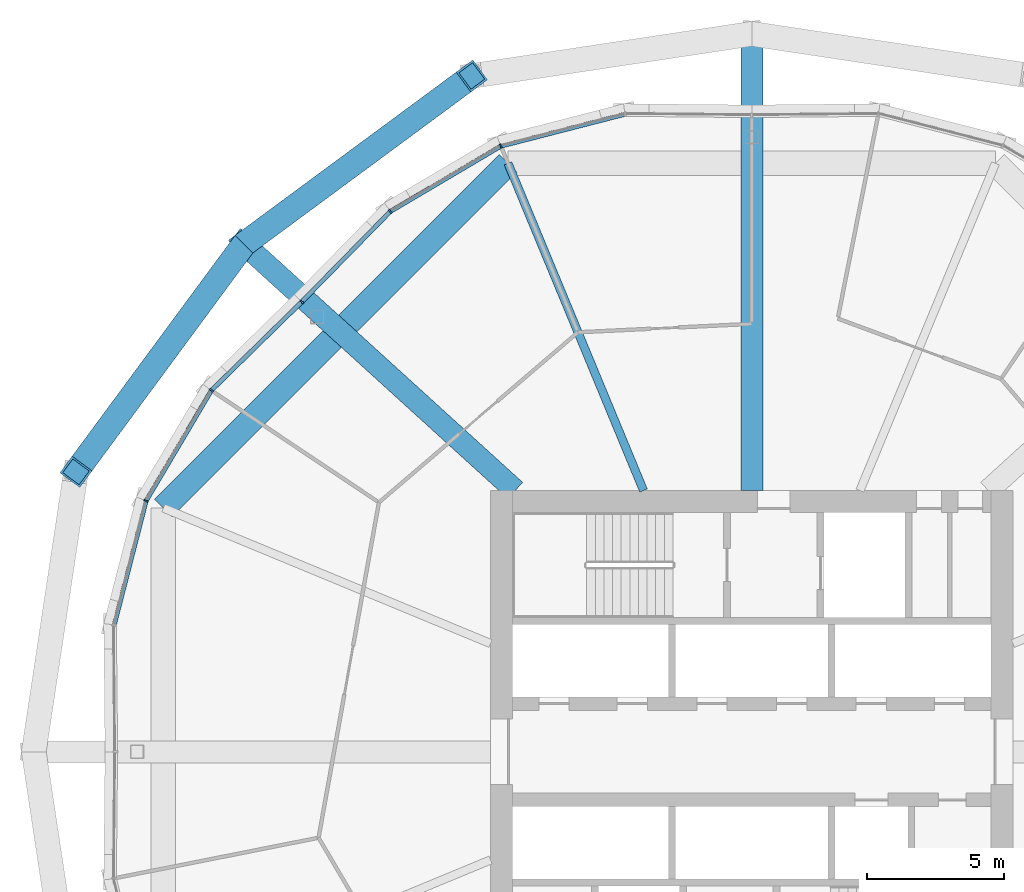
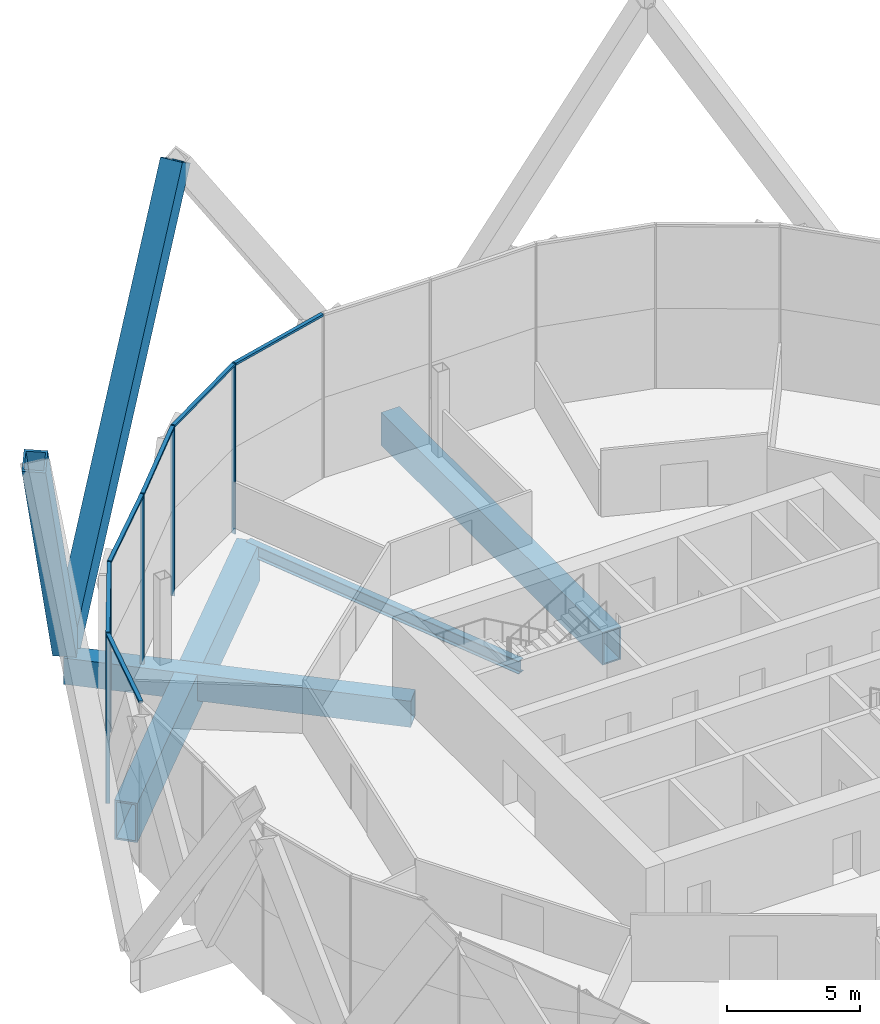
# One storey, part 8 of 28: 13 members, 4 beams, 2 elements without a shape of their own.
"""IFC4 building model written with IfcOpenShell, lengths in metres."""

from ifc_helpers import new_model, si_unit, direction, frame, origin, origin_2d, place, context, subcontext, project, spatial, rectangle, hollow_rectangle, i_section, extrude, material, material_profile, profile_set, type_object, element, aggregate, save


model = new_model("IFC4")

# Units and contexts
model_context = context("Model", 3, precision=1e-05, world=origin(), true_north=direction((0.0, 1.0)))
body_context = subcontext(model_context, "Body", "Model", "MODEL_VIEW")
ifc_project = project(units=[si_unit("LENGTHUNIT", "METRE"), si_unit("AREAUNIT", "SQUARE_METRE"), si_unit("VOLUMEUNIT", "CUBIC_METRE"), si_unit("PLANEANGLEUNIT", "RADIAN"), si_unit("MASSUNIT", "GRAM", prefix="KILO")], contexts=[model_context])

# Site, building, storey
site_placement = place(None, origin())
site = spatial("IfcSite", under=ifc_project, at=site_placement, CompositionType="ELEMENT")
building_placement = place(site_placement, origin())
building = spatial("IfcBuilding", under=site, at=building_placement, Name="Ogive Gate Towers", CompositionType="ELEMENT")
storey_placement = place(building_placement, frame((0.0, 0.0, 115.199951171875)))
storey = spatial("IfcBuildingStorey", under=building, at=storey_placement, Name="L27", CompositionType="ELEMENT", Elevation=115.199951171875)

# Members
ifc_material_1 = material(Name="Steel SM460", Category="steel")
ifc_material_profile_1 = material_profile(ifc_material_1, hollow_rectangle(XDim=0.89990234375, YDim=0.89990234375, WallThickness=0.080078125, at=origin_2d()), Name="BX 900x900x80")
ifc_profile_set_1 = profile_set([ifc_material_profile_1], Name="Steel SM460")
member_type_1 = type_object("IfcMemberType", Name="Diagrid diagonal BX 900x900x80", PredefinedType="BRACE", material=ifc_profile_set_1)
for number, where, z_axis, x_axis, name in (
    (1, (-54.462646484375, 18.462646484375, 0.0), (0.443175302272, 0.327039025082, 0.83465030254), (-0.593774070845, 0.804631811944, 0.0), "T1/L27/SDG007"),
    (2, (-54.462646484375, 18.462646484375, 0.0), (-0.327039025082, -0.443175302272, 0.83465030254), (0.804631811944, -0.593774070845, 0.0), "T1/L27/SDG008"),
):
    element("IfcMember", number, at=place(storey_placement, frame(where, z_axis=z_axis, x_axis=x_axis)), inside=storey, type_object=member_type_1, Name=name, PredefinedType="BRACE", context=body_context, shape_type="SweptSolid", body=[
        extrude(hollow_rectangle(XDim=0.89990234375, YDim=0.89990234375, WallThickness=0.080078125, at=origin_2d()), origin(), (0.0, 0.0, 1.0), 18.690673828125),
    ])

# Beams
ifc_material_profile_2 = material_profile(ifc_material_1, hollow_rectangle(XDim=0.89990234375, YDim=1.800048828125, WallThickness=0.080078125, at=origin_2d()), Name="BX 1800x900x80")
ifc_profile_set_2 = profile_set([ifc_material_profile_2], Name="Steel SM460")
beam_type_1 = type_object("IfcBeamType", Name="Edge girder BX 1800x900x80", PredefinedType="BEAM", material=ifc_profile_set_2)
beam_1_placement = place(storey_placement, frame((-44.863037109375, 21.39697265625, -1.199951171875), z_axis=(-0.707106781187, -0.707106781187, 0.0), x_axis=(0.707106781187, -0.707106781187, 0.0)))
element("IfcBeam", 3, at=beam_1_placement, inside=storey, type_object=beam_type_1, Name="T1/L27/SBM023", PredefinedType="BEAM", context=body_context, shape_type="SweptSolid", body=[
    extrude(hollow_rectangle(XDim=0.89990234375, YDim=1.800048828125, WallThickness=0.080078125, at=origin_2d()), origin(), (0.0, 0.0, 1.0), 17.7255859375),
])
ifc_material_2 = material(Name="Steel SM355", Category="steel")
ifc_material_profile_3 = material_profile(ifc_material_2, i_section(OverallWidth=0.300048828125, OverallDepth=0.590087890625, WebThickness=0.012939453125, FlangeThickness=0.02490234375, FilletRadius=0.027099609375, at=origin_2d()), Name="HE 600 A")
ifc_profile_set_3 = profile_set([ifc_material_profile_3], Name="Steel SM355")
beam_type_2 = type_object("IfcBeamType", Name="Radial floor beam HE 600 A", PredefinedType="BEAM", material=ifc_profile_set_3)
beam_2_placement = place(storey_placement, frame((-39.93505859375, 9.5, -0.594970703125), z_axis=(-0.382689470177, 0.923877031545, 0.0), x_axis=(-0.923877031545, -0.382689470177, 0.0)))
element("IfcBeam", 4, at=beam_2_placement, inside=storey, type_object=beam_type_2, Name="T1/L27/SBM013", PredefinedType="BEAM", context=body_context, shape_type="SweptSolid", body=[
    extrude(i_section(OverallWidth=0.300048828125, OverallDepth=0.590087890625, WebThickness=0.012939453125, FlangeThickness=0.02490234375, FilletRadius=0.027099609375, at=origin_2d()), origin(), (0.0, 0.0, 1.0), 12.877197265625),
])

# Curtain wall, members
ifc_material_3 = material(Name="Pale metal aluminium", Category="aluminium")
curtain_wall_type = type_object("IfcCurtainWallType", Name="Tower unitised wall, low zone", PredefinedType="NOTDEFINED", material=ifc_material_3)
curtain_wall_1_placement = place(storey_placement, origin())
curtain_wall_1 = element("IfcCurtainWall", 5, at=curtain_wall_1_placement, inside=storey, type_object=curtain_wall_type, Name="CW1 T1 ECW03", PredefinedType="NOTDEFINED")
ifc_material_profile_4 = material_profile(ifc_material_3, rectangle(XDim=0.159912109375, YDim=0.06005859375, at=origin_2d()), Name="60 x 160 aluminium box")
ifc_profile_set_4 = profile_set([ifc_material_profile_4], Name="Pale metal aluminium")
member_type_2 = type_object("IfcMemberType", Name="Tower unitised wall, low zone mullion 60 x 160", PredefinedType="MULLION", material=ifc_profile_set_4)
member_1_placement = place(storey_placement, frame((-45.12353515625, 22.026123046875, -0.300048828125), z_axis=(0.0, 0.0, 1.0), x_axis=(-0.382683432365, 0.923879532511, 0.0)))
member_1 = element("IfcMember", 6, at=member_1_placement, type_object=member_type_2, Name="CW1 mullion", PredefinedType="MULLION", context=body_context, shape_type="SweptSolid", body=[
    extrude(rectangle(XDim=0.159912109375, YDim=0.06005859375, at=origin_2d()), origin(), (0.0, 0.0, 1.0), 7.800048828125),
])
member_2_placement = place(storey_placement, frame((-49.13916015625, 19.653076171875, -0.300048828125), z_axis=(0.0, 0.0, 1.0), x_axis=(-0.616843572223, 0.787085768775, 0.0)))
member_2 = element("IfcMember", 7, at=member_2_placement, type_object=member_type_2, Name="CW1 mullion", PredefinedType="MULLION", context=body_context, shape_type="SweptSolid", body=[
    extrude(rectangle(XDim=0.159912109375, YDim=0.06005859375, at=origin_2d()), origin(), (0.0, 0.0, 1.0), 7.800048828125),
])
member_3_placement = place(storey_placement, frame((-52.3623046875, 16.362548828125, -0.300048828125), z_axis=(0.0, 0.0, 1.0), x_axis=(-0.714350554462, 0.699788028863, 0.0)))
member_3 = element("IfcMember", 8, at=member_3_placement, type_object=member_type_2, Name="CW1 mullion", PredefinedType="MULLION", context=body_context, shape_type="SweptSolid", body=[
    extrude(rectangle(XDim=0.159912109375, YDim=0.06005859375, at=origin_2d()), origin(), (0.0, 0.0, 1.0), 7.800048828125),
])

curtain_wall_2_placement = place(storey_placement, origin())
curtain_wall_2 = element("IfcCurtainWall", 9, at=curtain_wall_2_placement, inside=storey, type_object=curtain_wall_type, Name="CW1 T1 ECW04", PredefinedType="NOTDEFINED")
member_4_placement = place(storey_placement, frame((-55.653076171875, 13.13916015625, -0.300048828125), z_axis=(0.0, 0.0, 1.0), x_axis=(-0.787085768775, 0.616843572223, 0.0)))
member_4 = element("IfcMember", 10, at=member_4_placement, type_object=member_type_2, Name="CW1 mullion", PredefinedType="MULLION", context=body_context, shape_type="SweptSolid", body=[
    extrude(rectangle(XDim=0.159912109375, YDim=0.06005859375, at=origin_2d()), origin(), (0.0, 0.0, 1.0), 7.800048828125),
])
member_5_placement = place(storey_placement, frame((-58.026123046875, 9.12353515625, -0.300048828125), z_axis=(0.0, 0.0, 1.0), x_axis=(-0.923879532511, 0.382683432365, 0.0)))
member_5 = element("IfcMember", 11, at=member_5_placement, type_object=member_type_2, Name="CW1 mullion", PredefinedType="MULLION", context=body_context, shape_type="SweptSolid", body=[
    extrude(rectangle(XDim=0.159912109375, YDim=0.06005859375, at=origin_2d()), origin(), (0.0, 0.0, 1.0), 7.800048828125),
])

# Member
ifc_material_profile_5 = material_profile(ifc_material_3, rectangle(XDim=0.159912109375, YDim=0.10009765625, at=origin_2d()), Name="100 x 160 aluminium box")
ifc_profile_set_5 = profile_set([ifc_material_profile_5], Name="Pale metal aluminium")
member_type_3 = type_object("IfcMemberType", Name="Tower unitised wall, low zone transom 100 x 160", PredefinedType="USERDEFINED", material=ifc_profile_set_5)
member_6_placement = place(storey_placement, frame((-40.632568359375, 23.1806640625, 7.449951171875), z_axis=(-0.968497677012, -0.249022588577, 0.0), x_axis=(0.249022588577, -0.968497677012, 0.0)))
member_6 = element("IfcMember", 12, at=member_6_placement, type_object=member_type_3, Name="CW1 transom", ObjectType="TRANSOM", PredefinedType="USERDEFINED", context=body_context, shape_type="SweptSolid", body=[
    extrude(rectangle(XDim=0.159912109375, YDim=0.10009765625, at=origin_2d()), origin(), (0.0, 0.0, 1.0), 4.60986328125),
])

member_7_placement = place(storey_placement, frame((-45.14697265625, 22.01220703125, 7.449951171875), z_axis=(-0.860885405398, -0.508798898164, 0.0), x_axis=(0.508798898164, -0.860885405398, 0.0)))
member_7 = element("IfcMember", 13, at=member_7_placement, type_object=member_type_3, Name="CW1 transom", ObjectType="TRANSOM", PredefinedType="USERDEFINED", context=body_context, shape_type="SweptSolid", body=[
    extrude(rectangle(XDim=0.159912109375, YDim=0.10009765625, at=origin_2d()), origin(), (0.0, 0.0, 1.0), 4.60986328125),
])

member_8_placement = place(storey_placement, frame((-49.158203125, 19.63330078125, 7.449951171875), z_axis=(-0.699796604064, -0.714342153972, 0.0), x_axis=(0.714342153972, -0.699796604064, 0.0)))
member_8 = element("IfcMember", 14, at=member_8_placement, type_object=member_type_3, Name="CW1 transom", ObjectType="TRANSOM", PredefinedType="USERDEFINED", context=body_context, shape_type="SweptSolid", body=[
    extrude(rectangle(XDim=0.159912109375, YDim=0.10009765625, at=origin_2d()), origin(), (0.0, 0.0, 1.0), 4.548583984375),
])

aggregate(curtain_wall_1, [member_1, member_6, member_2, member_7, member_3, member_8])

member_9_placement = place(storey_placement, frame((-52.384033203125, 16.34130859375, 7.449951171875), z_axis=(-0.714342153972, -0.699796604064, 0.0), x_axis=(0.699796604064, -0.714342153972, 0.0)))
member_9 = element("IfcMember", 15, at=member_9_placement, type_object=member_type_3, Name="CW1 transom", ObjectType="TRANSOM", PredefinedType="USERDEFINED", context=body_context, shape_type="SweptSolid", body=[
    extrude(rectangle(XDim=0.159912109375, YDim=0.10009765625, at=origin_2d()), origin(), (0.0, 0.0, 1.0), 4.548583984375),
])

member_10_placement = place(storey_placement, frame((-55.666748046875, 13.115478515625, 7.449951171875), z_axis=(-0.508798898164, -0.860885405398, 0.0), x_axis=(0.860885405398, -0.508798898164, 0.0)))
member_10 = element("IfcMember", 16, at=member_10_placement, type_object=member_type_3, Name="CW1 transom", ObjectType="TRANSOM", PredefinedType="USERDEFINED", context=body_context, shape_type="SweptSolid", body=[
    extrude(rectangle(XDim=0.159912109375, YDim=0.10009765625, at=origin_2d()), origin(), (0.0, 0.0, 1.0), 4.60986328125),
])

member_11_placement = place(storey_placement, frame((-58.03271484375, 9.09716796875, 7.449951171875), z_axis=(-0.249022588577, -0.968497677012, 0.0), x_axis=(0.968497677012, -0.249022588577, 0.0)))
member_11 = element("IfcMember", 17, at=member_11_placement, type_object=member_type_3, Name="CW1 transom", ObjectType="TRANSOM", PredefinedType="USERDEFINED", context=body_context, shape_type="SweptSolid", body=[
    extrude(rectangle(XDim=0.159912109375, YDim=0.10009765625, at=origin_2d()), origin(), (0.0, 0.0, 1.0), 4.60986328125),
])

aggregate(curtain_wall_2, [member_4, member_9, member_5, member_10, member_11])

# Beams
ifc_material_profile_6 = material_profile(ifc_material_1, hollow_rectangle(XDim=0.800048828125, YDim=1.199951171875, WallThickness=0.050048828125, at=origin_2d()), Name="BX 1200x800x50")
ifc_profile_set_6 = profile_set([ifc_material_profile_6], Name="Steel SM460")
beam_type_3 = type_object("IfcBeamType", Name="Transfer radial beam BX 1200x800x50", PredefinedType="BEAM", material=ifc_profile_set_6)
beam_3_placement = place(storey_placement, frame((-44.60009765625, 9.5, -0.89990234375), z_axis=(-0.740063574275, 0.672536917969, 0.0), x_axis=(-0.672536917969, -0.740063574275, 0.0)))
element("IfcBeam", 18, at=beam_3_placement, inside=storey, type_object=beam_type_3, Name="T1/L27/SBM014", PredefinedType="BEAM", context=body_context, shape_type="SweptSolid", body=[
    extrude(hollow_rectangle(XDim=0.800048828125, YDim=1.199951171875, WallThickness=0.050048828125, at=origin_2d()), origin(), (0.0, 0.0, 1.0), 13.32666015625),
])
ifc_material_profile_7 = material_profile(ifc_material_1, hollow_rectangle(XDim=0.800048828125, YDim=1.5, WallThickness=0.06005859375, at=origin_2d()), Name="BX 1500x800x60")
ifc_profile_set_7 = profile_set([ifc_material_profile_7], Name="Steel SM460")
beam_type_4 = type_object("IfcBeamType", Name="Transfer radial beam BX 1500x800x60", PredefinedType="BEAM", material=ifc_profile_set_7)
beam_4_placement = place(storey_placement, frame((-36.0, 9.5, -1.050048828125), z_axis=(0.0, 1.0, 0.0), x_axis=(-1.0, 0.0, 0.0)))
element("IfcBeam", 19, at=beam_4_placement, inside=storey, type_object=beam_type_4, Name="T1/L27/SBM012", PredefinedType="BEAM", context=body_context, shape_type="SweptSolid", body=[
    extrude(hollow_rectangle(XDim=0.800048828125, YDim=1.5, WallThickness=0.06005859375, at=origin_2d()), origin(), (0.0, 0.0, 1.0), 16.610107421875),
])

save(model, "model.ifc")
